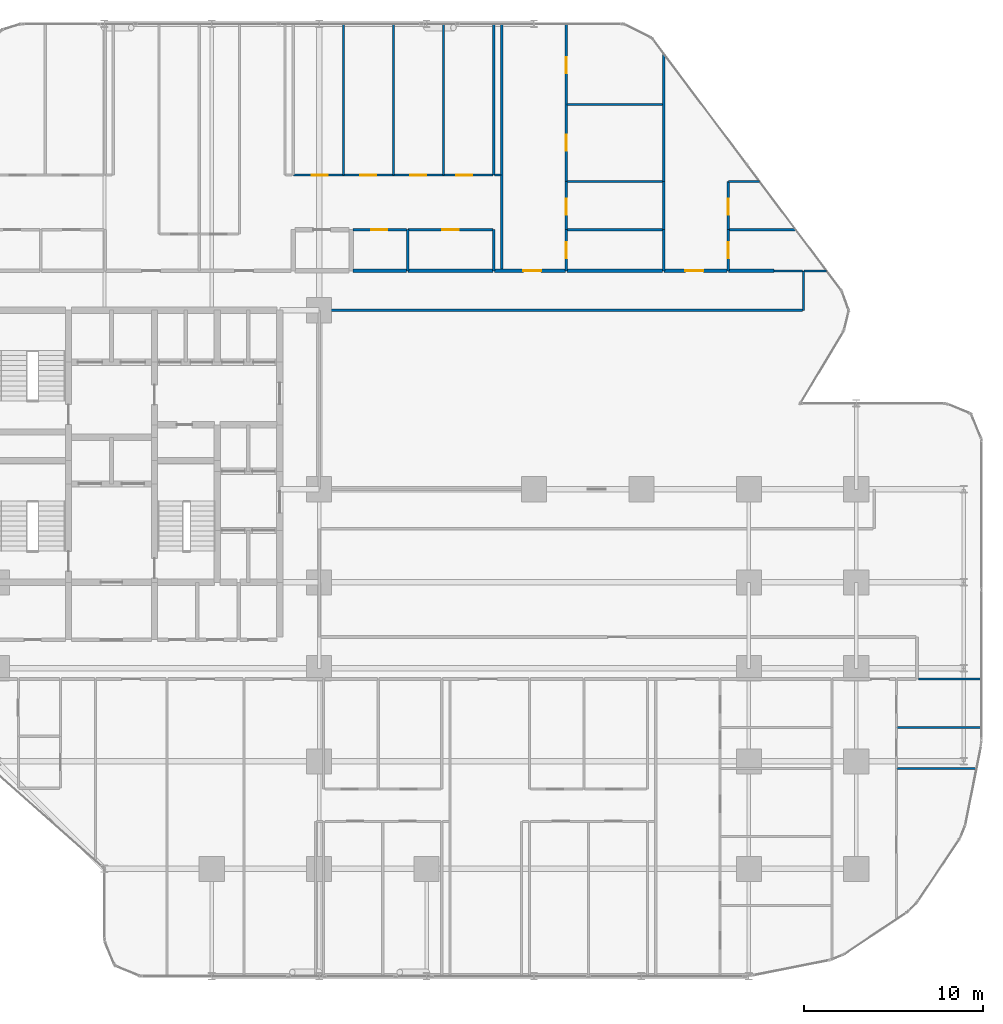
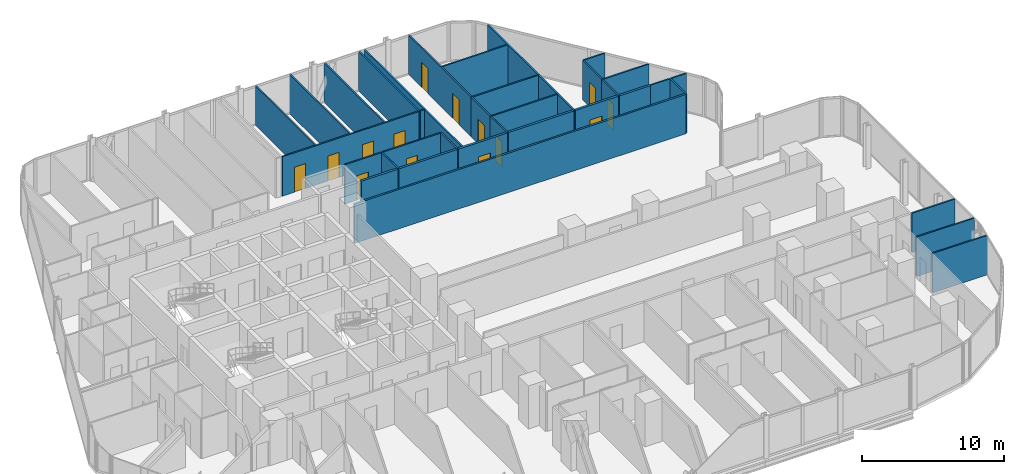
# One storey, part 31 of 33: 37 walls, 14 doors, 14 openings.
"""IFC4 building model written with IfcOpenShell, lengths in metres."""

from ifc_helpers import new_model, si_unit, direction, frame, frame_2d, origin, place, context, subcontext, project, spatial, rectangle, extrude, material, layer, layer_set, type_object, element, fill, save


model = new_model("IFC4")

# Units and contexts
model_context = context("Model", 3, precision=1e-05, world=origin(), true_north=direction((0.0, 1.0)))
body_context = subcontext(model_context, "Body", "Model", "MODEL_VIEW")
ifc_project = project(units=[si_unit("LENGTHUNIT", "METRE"), si_unit("AREAUNIT", "SQUARE_METRE"), si_unit("VOLUMEUNIT", "CUBIC_METRE"), si_unit("PLANEANGLEUNIT", "RADIAN"), si_unit("MASSUNIT", "GRAM", prefix="KILO")], contexts=[model_context])

# Site, building, storey
site_placement = place(None, origin())
site = spatial("IfcSite", under=ifc_project, at=site_placement, CompositionType="ELEMENT")
building_placement = place(site_placement, origin())
building = spatial("IfcBuilding", under=site, at=building_placement, Name="Keshet Zoharim Tower", CompositionType="ELEMENT")
storey_placement = place(building_placement, frame((0.0, 0.0, 49.89990234375)))
storey = spatial("IfcBuildingStorey", under=building, at=storey_placement, Name="L11", CompositionType="ELEMENT", Elevation=49.89990234375)

# Walls
ifc_material_1 = material(Name="Gypsum Plasterboard", Category="gypsum")
ifc_layer_1 = layer(ifc_material_1, 0.14990234375)
ifc_layer_set_1 = layer_set([ifc_layer_1], Name="Gypsum Plasterboard")
wall_type_1 = type_object("IfcWallType", Name="WL-CLIN-150", PredefinedType="STANDARD", material=ifc_layer_set_1)
wall_1_placement = place(storey_placement, frame((33.070068359375, 37.89990234375, 0.0), z_axis=(0.0, 0.0, 1.0), x_axis=(1.0, 0.0, 0.0)))
element("IfcWall", 1, at=wall_1_placement, inside=storey, type_object=wall_type_1, Name="L11 Interior Wall 194", PredefinedType="STANDARD", context=body_context, shape_type="SweptSolid", body=[
    extrude(rectangle(XDim=26.934814453125, YDim=0.14990234375, at=frame_2d((13.46728515625, 0.0))), origin(), (0.0, 0.0, 1.0), 3.385009765625),
])
ifc_layer_2 = layer(ifc_material_1, 0.179931640625)
ifc_layer_set_2 = layer_set([ifc_layer_2], Name="Gypsum Plasterboard")
wall_type_2 = type_object("IfcWallType", Name="WL-CORR-180", PredefinedType="STANDARD", material=ifc_layer_set_2)
wall_2_placement = place(storey_placement, frame((34.89404296875, 40.10009765625, 0.0), z_axis=(0.0, 0.0, 1.0), x_axis=(1.0, 0.0, 0.0)))
element("IfcWall", 2, at=wall_2_placement, inside=storey, type_object=wall_type_2, Name="L11 Interior Wall 201", PredefinedType="STANDARD", context=body_context, shape_type="SweptSolid", body=[
    extrude(rectangle(XDim=2.987060546875, YDim=0.179931640625, at=frame_2d((1.49365234375, 0.0))), origin(), (0.0, 0.0, 1.0), 3.385009765625),
])
wall_3_placement = place(storey_placement, frame((37.970947265625, 40.10009765625, 0.0), z_axis=(0.0, 0.0, 1.0), x_axis=(1.0, 0.0, 0.0)))
element("IfcWall", 3, at=wall_3_placement, inside=storey, type_object=wall_type_2, Name="L11 Interior Wall 202", PredefinedType="STANDARD", context=body_context, shape_type="SweptSolid", body=[
    extrude(rectangle(XDim=4.734130859375, YDim=0.179931640625, at=frame_2d((2.3671875, 0.0))), origin(), (0.0, 0.0, 1.0), 3.385009765625),
])

# Wall, opening, door
wall_4_placement = place(storey_placement, frame((42.794921875, 40.10009765625, 0.0), z_axis=(0.0, 0.0, 1.0), x_axis=(1.0, 0.0, 0.0)))
wall_4 = element("IfcWall", 4, at=wall_4_placement, inside=storey, type_object=wall_type_2, Name="L11 Interior Wall 203", PredefinedType="STANDARD", context=body_context, shape_type="SweptSolid", body=[
    extrude(rectangle(XDim=3.9599609375, YDim=0.179931640625, at=frame_2d((1.97998046875, 0.0))), origin(), (0.0, 0.0, 1.0), 3.385009765625),
])
opening_1_placement = place(wall_4_placement, frame((1.60888671875, 0.0, 0.0)))
opening_1 = element("IfcOpeningElement", 5, at=opening_1_placement, cuts=wall_4, Name="Opening D-F310", PredefinedType="OPENING", context=body_context, shape_type="SweptSolid", body=[
    extrude(rectangle(XDim=1.0, YDim=2.14990234375, at=frame_2d((0.5, 1.074951171875))), frame((0.0, 0.10009765625, 0.0), z_axis=(0.0, -1.0, 0.0), x_axis=(1.0, 0.0, 0.0)), (0.0, 0.0, 1.0), 0.199951171875),
])
ifc_material_2 = material(Name="Hardwood Timber", Category="wood")
door_type_1 = type_object("IfcDoorType", Name="DR-FD30-100", OperationType="NOTDEFINED", PredefinedType="DOOR", material=ifc_material_2)
door_1_placement = place(opening_1_placement, origin())
door_1 = element("IfcDoor", 6, at=door_1_placement, inside=storey, type_object=door_type_1, Name="Apartment 1108 Entrance Door", OperationType="SINGLE_SWING_LEFT", OverallHeight=2.14990234375, OverallWidth=1.0, PredefinedType="DOOR", context=body_context, shape_type="SweptSolid", body=[
    extrude(rectangle(XDim=1.0, YDim=2.14990234375, at=frame_2d((0.5, 1.074951171875))), frame((0.0, 0.02490234375, 0.0), z_axis=(0.0, -1.0, 0.0), x_axis=(1.0, 0.0, 0.0)), (0.0, 0.0, 1.0), 0.050048828125),
])
fill(opening_1, door_1)

# Wall
wall_5_placement = place(storey_placement, frame((46.844970703125, 40.10009765625, 0.0), z_axis=(0.0, 0.0, 1.0), x_axis=(1.0, 0.0, 0.0)))
element("IfcWall", 7, at=wall_5_placement, inside=storey, type_object=wall_type_2, Name="L11 Interior Wall 204", PredefinedType="STANDARD", context=body_context, shape_type="SweptSolid", body=[
    extrude(rectangle(XDim=5.340087890625, YDim=0.179931640625, at=frame_2d((2.669921875, 0.0))), origin(), (0.0, 0.0, 1.0), 3.385009765625),
])

# Wall, opening, door
wall_6_placement = place(storey_placement, frame((52.27490234375, 40.10009765625, 0.0), z_axis=(0.0, 0.0, 1.0), x_axis=(1.0, 0.0, 0.0)))
wall_6 = element("IfcWall", 8, at=wall_6_placement, inside=storey, type_object=wall_type_2, Name="L11 Interior Wall 205", PredefinedType="STANDARD", context=body_context, shape_type="SweptSolid", body=[
    extrude(rectangle(XDim=3.510009765625, YDim=0.179931640625, at=frame_2d((1.7548828125, 0.0))), origin(), (0.0, 0.0, 1.0), 3.385009765625),
])
opening_2_placement = place(wall_6_placement, frame((1.18505859375, 0.0, 0.0)))
opening_2 = element("IfcOpeningElement", 9, at=opening_2_placement, cuts=wall_6, Name="Opening D-F310", PredefinedType="OPENING", context=body_context, shape_type="SweptSolid", body=[
    extrude(rectangle(XDim=1.0, YDim=2.14990234375, at=frame_2d((0.5, 1.074951171875))), frame((0.0, 0.10009765625, 0.0), z_axis=(0.0, -1.0, 0.0), x_axis=(1.0, 0.0, 0.0)), (0.0, 0.0, 1.0), 0.199951171875),
])
door_2_placement = place(opening_2_placement, origin())
door_2 = element("IfcDoor", 10, at=door_2_placement, inside=storey, type_object=door_type_1, Name="Apartment 1109 Entrance Door", OperationType="SINGLE_SWING_RIGHT", OverallHeight=2.14990234375, OverallWidth=1.0, PredefinedType="DOOR", context=body_context, shape_type="SweptSolid", body=[
    extrude(rectangle(XDim=1.0, YDim=2.14990234375, at=frame_2d((0.5, 1.074951171875))), frame((0.0, 0.02490234375, 0.0), z_axis=(0.0, -1.0, 0.0), x_axis=(1.0, 0.0, 0.0)), (0.0, 0.0, 1.0), 0.050048828125),
])
fill(opening_2, door_2)

# Walls
wall_7_placement = place(storey_placement, frame((55.875, 40.10009765625, 0.0), z_axis=(0.0, 0.0, 1.0), x_axis=(1.0, 0.0, 0.0)))
element("IfcWall", 11, at=wall_7_placement, inside=storey, type_object=wall_type_2, Name="L11 Interior Wall 206", PredefinedType="STANDARD", context=body_context, shape_type="SweptSolid", body=[
    extrude(rectangle(XDim=2.52490234375, YDim=0.179931640625, at=frame_2d((1.262451171875, 0.0))), origin(), (0.0, 0.0, 1.0), 3.385009765625),
])
ifc_layer_3 = layer(ifc_material_1, 0.1201171875)
ifc_layer_set_3 = layer_set([ifc_layer_3], Name="Gypsum Plasterboard")
wall_type_3 = type_object("IfcWallType", Name="WL-PART-120", PredefinedType="PARTITIONING", material=ifc_layer_set_3)
for number, where, z_axis, x_axis, name in (
    (12, (34.35009765625, 45.449951171875, 0.0), (0.0, 0.0, 1.0), (0.0, 1.0, 0.0), "L11 Interior Wall 078"),
    (13, (37.14990234375, 45.449951171875, 0.0), (0.0, 0.0, 1.0), (0.0, 1.0, 0.0), "L11 Interior Wall 082"),
    (14, (39.949951171875, 45.449951171875, 0.0), (0.0, 0.0, 1.0), (0.0, 1.0, 0.0), "L11 Interior Wall 086"),
):
    element("IfcWall", number, at=place(storey_placement, frame(where, z_axis=z_axis, x_axis=x_axis)), inside=storey, type_object=wall_type_3, Name=name, PredefinedType="PARTITIONING", context=body_context, shape_type="SweptSolid", body=[
        extrude(rectangle(XDim=8.43994140625, YDim=0.1201171875, at=frame_2d((4.219970703125, 0.0))), origin(), (0.0, 0.0, 1.0), 3.385009765625),
    ])
wall_8_placement = place(storey_placement, frame((42.75, 40.10009765625, 0.0), z_axis=(0.0, 0.0, 1.0), x_axis=(0.0, 1.0, 0.0)))
element("IfcWall", 15, at=wall_8_placement, inside=storey, type_object=wall_type_3, Name="L11 Interior Wall 088", PredefinedType="PARTITIONING", context=body_context, shape_type="SweptSolid", body=[
    extrude(rectangle(XDim=2.2998046875, YDim=0.1201171875, at=frame_2d((1.14990234375, 0.0))), origin(), (0.0, 0.0, 1.0), 3.385009765625),
])
wall_9_placement = place(storey_placement, frame((42.75, 45.449951171875, 0.0), z_axis=(0.0, 0.0, 1.0), x_axis=(0.0, 1.0, 0.0)))
element("IfcWall", 16, at=wall_9_placement, inside=storey, type_object=wall_type_3, Name="L11 Interior Wall 089", PredefinedType="PARTITIONING", context=body_context, shape_type="SweptSolid", body=[
    extrude(rectangle(XDim=8.43994140625, YDim=0.1201171875, at=frame_2d((4.219970703125, 0.0))), origin(), (0.0, 0.0, 1.0), 3.385009765625),
])
wall_10_placement = place(storey_placement, frame((43.199951171875, 40.10009765625, 0.0), z_axis=(0.0, 0.0, 1.0), x_axis=(0.0, 1.0, 0.0)))
element("IfcWall", 17, at=wall_10_placement, inside=storey, type_object=wall_type_3, Name="L11 Interior Wall 090", PredefinedType="PARTITIONING", context=body_context, shape_type="SweptSolid", body=[
    extrude(rectangle(XDim=13.789794921875, YDim=0.1201171875, at=frame_2d((6.89501953125, 0.0))), origin(), (0.0, 0.0, 1.0), 3.385009765625),
])

# Wall, opening, door
wall_11_placement = place(storey_placement, frame((46.800048828125, 40.10009765625, 0.0), z_axis=(0.0, 0.0, 1.0), x_axis=(0.0, 1.0, 0.0)))
wall_11 = element("IfcWall", 18, at=wall_11_placement, inside=storey, type_object=wall_type_3, Name="L11 Interior Wall 094", PredefinedType="PARTITIONING", context=body_context, shape_type="SweptSolid", body=[
    extrude(rectangle(XDim=2.2998046875, YDim=0.1201171875, at=frame_2d((1.14990234375, 0.0))), origin(), (0.0, 0.0, 1.0), 3.385009765625),
])
opening_3_placement = place(wall_11_placement, frame((0.699951171875, 0.0, 0.0)))
opening_3 = element("IfcOpeningElement", 19, at=opening_3_placement, cuts=wall_11, Name="Opening D-IN90", PredefinedType="OPENING", context=body_context, shape_type="SweptSolid", body=[
    extrude(rectangle(XDim=0.89990234375, YDim=2.14990234375, at=frame_2d((0.449951171875, 1.074951171875))), frame((0.0, 0.070068359375, 0.0), z_axis=(0.0, -1.0, 0.0), x_axis=(1.0, 0.0, 0.0)), (0.0, 0.0, 1.0), 0.14013671875),
])
door_type_2 = type_object("IfcDoorType", Name="DR-INT-090", OperationType="NOTDEFINED", PredefinedType="DOOR", material=ifc_material_2)
door_3_placement = place(opening_3_placement, origin())
door_3 = element("IfcDoor", 20, at=door_3_placement, inside=storey, type_object=door_type_2, Name="Apartment 1108 Kitchen Door", OperationType="SINGLE_SWING_LEFT", OverallHeight=2.14990234375, OverallWidth=0.89990234375, PredefinedType="DOOR", context=body_context, shape_type="SweptSolid", body=[
    extrude(rectangle(XDim=0.89990234375, YDim=2.14990234375, at=frame_2d((0.449951171875, 1.074951171875))), frame((0.0, 0.02490234375, 0.0), z_axis=(0.0, -1.0, 0.0), x_axis=(1.0, 0.0, 0.0)), (0.0, 0.0, 1.0), 0.050048828125),
])
fill(opening_3, door_3)

# Wall, openings, doors
wall_12_placement = place(storey_placement, frame((46.800048828125, 45.10009765625, 0.0), z_axis=(0.0, 0.0, 1.0), x_axis=(0.0, 1.0, 0.0)))
wall_12 = element("IfcWall", 21, at=wall_12_placement, inside=storey, type_object=wall_type_3, Name="L11 Interior Wall 096", PredefinedType="PARTITIONING", context=body_context, shape_type="SweptSolid", body=[
    extrude(rectangle(XDim=8.789794921875, YDim=0.1201171875, at=frame_2d((4.39501953125, 0.0))), origin(), (0.0, 0.0, 1.0), 3.385009765625),
])
opening_4_placement = place(wall_12_placement, frame((1.7119140625, 0.0, 0.0)))
opening_4 = element("IfcOpeningElement", 22, at=opening_4_placement, cuts=wall_12, Name="Opening D-IN90", PredefinedType="OPENING", context=body_context, shape_type="SweptSolid", body=[
    extrude(rectangle(XDim=0.89990234375, YDim=2.14990234375, at=frame_2d((0.449951171875, 1.074951171875))), frame((0.0, 0.070068359375, 0.0), z_axis=(0.0, -1.0, 0.0), x_axis=(1.0, 0.0, 0.0)), (0.0, 0.0, 1.0), 0.14013671875),
])
opening_5_placement = place(wall_12_placement, frame((6.030029296875, 0.0, 0.0)))
opening_5 = element("IfcOpeningElement", 23, at=opening_5_placement, cuts=wall_12, Name="Opening D-IN90", PredefinedType="OPENING", context=body_context, shape_type="SweptSolid", body=[
    extrude(rectangle(XDim=0.89990234375, YDim=2.14990234375, at=frame_2d((0.449951171875, 1.074951171875))), frame((0.0, 0.070068359375, 0.0), z_axis=(0.0, -1.0, 0.0), x_axis=(1.0, 0.0, 0.0)), (0.0, 0.0, 1.0), 0.14013671875),
])
door_4_placement = place(opening_4_placement, origin())
door_4 = element("IfcDoor", 24, at=door_4_placement, inside=storey, type_object=door_type_2, Name="Apartment 1108 Bedroom 1 Door", OperationType="SINGLE_SWING_LEFT", OverallHeight=2.14990234375, OverallWidth=0.89990234375, PredefinedType="DOOR", context=body_context, shape_type="SweptSolid", body=[
    extrude(rectangle(XDim=0.89990234375, YDim=2.14990234375, at=frame_2d((0.449951171875, 1.074951171875))), frame((0.0, 0.02490234375, 0.0), z_axis=(0.0, -1.0, 0.0), x_axis=(1.0, 0.0, 0.0)), (0.0, 0.0, 1.0), 0.050048828125),
])
fill(opening_4, door_4)
door_5_placement = place(opening_5_placement, origin())
door_5 = element("IfcDoor", 25, at=door_5_placement, inside=storey, type_object=door_type_2, Name="Apartment 1108 Bedroom 2 Door", OperationType="SINGLE_SWING_RIGHT", OverallHeight=2.14990234375, OverallWidth=0.89990234375, PredefinedType="DOOR", context=body_context, shape_type="SweptSolid", body=[
    extrude(rectangle(XDim=0.89990234375, YDim=2.14990234375, at=frame_2d((0.449951171875, 1.074951171875))), frame((0.0, 0.02490234375, 0.0), z_axis=(0.0, -1.0, 0.0), x_axis=(1.0, 0.0, 0.0)), (0.0, 0.0, 1.0), 0.050048828125),
])
fill(opening_5, door_5)

# Walls
wall_13_placement = place(storey_placement, frame((52.25, 40.10009765625, 0.0), z_axis=(0.0, 0.0, 1.0), x_axis=(0.0, 1.0, 0.0)))
element("IfcWall", 26, at=wall_13_placement, inside=storey, type_object=wall_type_3, Name="L11 Interior Wall 102", PredefinedType="PARTITIONING", context=body_context, shape_type="SweptSolid", body=[
    extrude(rectangle(XDim=2.2998046875, YDim=0.1201171875, at=frame_2d((1.14990234375, 0.0))), origin(), (0.0, 0.0, 1.0), 3.385009765625),
])
wall_14_placement = place(storey_placement, frame((52.25, 45.10009765625, 0.0), z_axis=(0.0, 0.0, 1.0), x_axis=(0.0, 1.0, 0.0)))
element("IfcWall", 27, at=wall_14_placement, inside=storey, type_object=wall_type_3, Name="L11 Interior Wall 104", PredefinedType="PARTITIONING", context=body_context, shape_type="SweptSolid", body=[
    extrude(rectangle(XDim=7.122802734375, YDim=0.1201171875, at=frame_2d((3.5615234375, 0.0))), origin(), (0.0, 0.0, 1.0), 3.385009765625),
])

# Wall, opening, door
wall_15_placement = place(storey_placement, frame((55.85009765625, 40.10009765625, 0.0), z_axis=(0.0, 0.0, 1.0), x_axis=(0.0, 1.0, 0.0)))
wall_15 = element("IfcWall", 28, at=wall_15_placement, inside=storey, type_object=wall_type_3, Name="L11 Interior Wall 108", PredefinedType="PARTITIONING", context=body_context, shape_type="SweptSolid", body=[
    extrude(rectangle(XDim=2.2998046875, YDim=0.1201171875, at=frame_2d((1.14990234375, 0.0))), origin(), (0.0, 0.0, 1.0), 3.385009765625),
])
opening_6_placement = place(wall_15_placement, frame((0.699951171875, 0.0, 0.0)))
opening_6 = element("IfcOpeningElement", 29, at=opening_6_placement, cuts=wall_15, Name="Opening D-IN90", PredefinedType="OPENING", context=body_context, shape_type="SweptSolid", body=[
    extrude(rectangle(XDim=0.89990234375, YDim=2.14990234375, at=frame_2d((0.449951171875, 1.074951171875))), frame((0.0, 0.070068359375, 0.0), z_axis=(0.0, -1.0, 0.0), x_axis=(1.0, 0.0, 0.0)), (0.0, 0.0, 1.0), 0.14013671875),
])
door_6_placement = place(opening_6_placement, origin())
door_6 = element("IfcDoor", 30, at=door_6_placement, inside=storey, type_object=door_type_2, Name="Apartment 1109 Kitchen Door", OperationType="SINGLE_SWING_RIGHT", OverallHeight=2.14990234375, OverallWidth=0.89990234375, PredefinedType="DOOR", context=body_context, shape_type="SweptSolid", body=[
    extrude(rectangle(XDim=0.89990234375, YDim=2.14990234375, at=frame_2d((0.449951171875, 1.074951171875))), frame((0.0, 0.02490234375, 0.0), z_axis=(0.0, -1.0, 0.0), x_axis=(1.0, 0.0, 0.0)), (0.0, 0.0, 1.0), 0.050048828125),
])
fill(opening_6, door_6)

# Walls
wall_16_placement = place(storey_placement, frame((60.050048828125, 37.889892578125, 0.0), z_axis=(0.0, 0.0, 1.0), x_axis=(0.0, 1.0, 0.0)))
element("IfcWall", 31, at=wall_16_placement, inside=storey, type_object=wall_type_3, Name="L11 Interior Wall 110", PredefinedType="PARTITIONING", context=body_context, shape_type="SweptSolid", body=[
    extrude(rectangle(XDim=2.2001953125, YDim=0.1201171875, at=frame_2d((1.10009765625, 0.0))), origin(), (0.0, 0.0, 1.0), 3.385009765625),
])
wall_17_placement = place(storey_placement, frame((65.27490234375, 12.300048828125, 0.0), z_axis=(0.0, 0.0, 1.0), x_axis=(1.0, 0.0, 0.0)))
element("IfcWall", 32, at=wall_17_placement, inside=storey, type_object=wall_type_3, Name="L11 Interior Wall 133", PredefinedType="PARTITIONING", context=body_context, shape_type="SweptSolid", body=[
    extrude(rectangle(XDim=4.43701171875, YDim=0.1201171875, at=frame_2d((2.218505859375, 0.0))), origin(), (0.0, 0.0, 1.0), 3.385009765625),
])
wall_18_placement = place(storey_placement, frame((58.39990234375, 40.10009765625, 0.0), z_axis=(0.0, 0.0, 1.0), x_axis=(1.0, 0.0, 0.0)))
element("IfcWall", 33, at=wall_18_placement, inside=storey, type_object=wall_type_3, Name="L11 Interior Wall 207", PredefinedType="PARTITIONING", context=body_context, shape_type="SweptSolid", body=[
    extrude(rectangle(XDim=1.60498046875, YDim=0.1201171875, at=frame_2d((0.802490234375, 0.0))), origin(), (0.0, 0.0, 1.0), 3.385009765625),
])
wall_19_placement = place(storey_placement, frame((60.094970703125, 40.10009765625, 0.0), z_axis=(0.0, 0.0, 1.0), x_axis=(1.0, 0.0, 0.0)))
element("IfcWall", 34, at=wall_19_placement, inside=storey, type_object=wall_type_3, Name="L11 Interior Wall 208", PredefinedType="PARTITIONING", context=body_context, shape_type="SweptSolid", body=[
    extrude(rectangle(XDim=1.2451171875, YDim=0.1201171875, at=frame_2d((0.62255859375, 0.0))), origin(), (0.0, 0.0, 1.0), 3.385009765625),
])

# Wall, opening, door
wall_20_placement = place(storey_placement, frame((37.970947265625, 42.39990234375, 0.0), z_axis=(0.0, 0.0, 1.0), x_axis=(1.0, 0.0, 0.0)))
wall_20 = element("IfcWall", 35, at=wall_20_placement, inside=storey, type_object=wall_type_3, Name="L11 Interior Wall 215", PredefinedType="PARTITIONING", context=body_context, shape_type="SweptSolid", body=[
    extrude(rectangle(XDim=4.734130859375, YDim=0.1201171875, at=frame_2d((2.3671875, 0.0))), origin(), (0.0, 0.0, 1.0), 3.385009765625),
])
opening_7_placement = place(wall_20_placement, frame((1.9169921875, 0.0, 0.0)))
opening_7 = element("IfcOpeningElement", 36, at=opening_7_placement, cuts=wall_20, Name="Opening D-IN90", PredefinedType="OPENING", context=body_context, shape_type="SweptSolid", body=[
    extrude(rectangle(XDim=0.89990234375, YDim=2.14990234375, at=frame_2d((0.449951171875, 1.074951171875))), frame((0.0, 0.070068359375, 0.0), z_axis=(0.0, -1.0, 0.0), x_axis=(1.0, 0.0, 0.0)), (0.0, 0.0, 1.0), 0.14013671875),
])
door_7_placement = place(opening_7_placement, origin())
door_7 = element("IfcDoor", 37, at=door_7_placement, inside=storey, type_object=door_type_2, Name="Apartment 1107 Kitchen Door", OperationType="SINGLE_SWING_RIGHT", OverallHeight=2.14990234375, OverallWidth=0.89990234375, PredefinedType="DOOR", context=body_context, shape_type="SweptSolid", body=[
    extrude(rectangle(XDim=0.89990234375, YDim=2.14990234375, at=frame_2d((0.449951171875, 1.074951171875))), frame((0.0, 0.02490234375, 0.0), z_axis=(0.0, -1.0, 0.0), x_axis=(1.0, 0.0, 0.0)), (0.0, 0.0, 1.0), 0.050048828125),
])
fill(opening_7, door_7)

# Wall, openings, doors
wall_21_placement = place(storey_placement, frame((31.574951171875, 45.449951171875, 0.0), z_axis=(0.0, 0.0, 1.0), x_axis=(1.0, 0.0, 0.0)))
wall_21 = element("IfcWall", 38, at=wall_21_placement, inside=storey, type_object=wall_type_3, Name="L11 Interior Wall 223", PredefinedType="PARTITIONING", context=body_context, shape_type="SweptSolid", body=[
    extrude(rectangle(XDim=11.130126953125, YDim=0.1201171875, at=frame_2d((5.56494140625, 0.0))), origin(), (0.0, 0.0, 1.0), 3.385009765625),
])
opening_8_placement = place(wall_21_placement, frame((1.008056640625, 0.0, 0.0)))
opening_8 = element("IfcOpeningElement", 39, at=opening_8_placement, cuts=wall_21, Name="Opening D-IN90", PredefinedType="OPENING", context=body_context, shape_type="SweptSolid", body=[
    extrude(rectangle(XDim=0.89990234375, YDim=2.14990234375, at=frame_2d((0.449951171875, 1.074951171875))), frame((0.0, 0.070068359375, 0.0), z_axis=(0.0, -1.0, 0.0), x_axis=(1.0, 0.0, 0.0)), (0.0, 0.0, 1.0), 0.14013671875),
])
opening_9_placement = place(wall_21_placement, frame((3.712890625, 0.0, 0.0)))
opening_9 = element("IfcOpeningElement", 40, at=opening_9_placement, cuts=wall_21, Name="Opening D-IN90", PredefinedType="OPENING", context=body_context, shape_type="SweptSolid", body=[
    extrude(rectangle(XDim=0.89990234375, YDim=2.14990234375, at=frame_2d((0.449951171875, 1.074951171875))), frame((0.0, 0.070068359375, 0.0), z_axis=(0.0, -1.0, 0.0), x_axis=(1.0, 0.0, 0.0)), (0.0, 0.0, 1.0), 0.14013671875),
])
opening_10_placement = place(wall_21_placement, frame((6.51806640625, 0.0, 0.0)))
opening_10 = element("IfcOpeningElement", 41, at=opening_10_placement, cuts=wall_21, Name="Opening D-IN90", PredefinedType="OPENING", context=body_context, shape_type="SweptSolid", body=[
    extrude(rectangle(XDim=0.89990234375, YDim=2.14990234375, at=frame_2d((0.449951171875, 1.074951171875))), frame((0.0, 0.070068359375, 0.0), z_axis=(0.0, -1.0, 0.0), x_axis=(1.0, 0.0, 0.0)), (0.0, 0.0, 1.0), 0.14013671875),
])
opening_11_placement = place(wall_21_placement, frame((9.072998046875, 0.0, 0.0)))
opening_11 = element("IfcOpeningElement", 42, at=opening_11_placement, cuts=wall_21, Name="Opening D-IN90", PredefinedType="OPENING", context=body_context, shape_type="SweptSolid", body=[
    extrude(rectangle(XDim=0.89990234375, YDim=2.14990234375, at=frame_2d((0.449951171875, 1.074951171875))), frame((0.0, 0.070068359375, 0.0), z_axis=(0.0, -1.0, 0.0), x_axis=(1.0, 0.0, 0.0)), (0.0, 0.0, 1.0), 0.14013671875),
])
door_8_placement = place(opening_8_placement, origin())
door_8 = element("IfcDoor", 43, at=door_8_placement, inside=storey, type_object=door_type_2, Name="Apartment 1107 Bedroom 1 Door", OperationType="SINGLE_SWING_LEFT", OverallHeight=2.14990234375, OverallWidth=0.89990234375, PredefinedType="DOOR", context=body_context, shape_type="SweptSolid", body=[
    extrude(rectangle(XDim=0.89990234375, YDim=2.14990234375, at=frame_2d((0.449951171875, 1.074951171875))), frame((0.0, 0.02490234375, 0.0), z_axis=(0.0, -1.0, 0.0), x_axis=(1.0, 0.0, 0.0)), (0.0, 0.0, 1.0), 0.050048828125),
])
fill(opening_8, door_8)
door_9_placement = place(opening_9_placement, origin())
door_9 = element("IfcDoor", 44, at=door_9_placement, inside=storey, type_object=door_type_2, Name="Apartment 1107 Bedroom 2 Door", OperationType="SINGLE_SWING_RIGHT", OverallHeight=2.14990234375, OverallWidth=0.89990234375, PredefinedType="DOOR", context=body_context, shape_type="SweptSolid", body=[
    extrude(rectangle(XDim=0.89990234375, YDim=2.14990234375, at=frame_2d((0.449951171875, 1.074951171875))), frame((0.0, 0.02490234375, 0.0), z_axis=(0.0, -1.0, 0.0), x_axis=(1.0, 0.0, 0.0)), (0.0, 0.0, 1.0), 0.050048828125),
])
fill(opening_9, door_9)
door_10_placement = place(opening_10_placement, origin())
door_10 = element("IfcDoor", 45, at=door_10_placement, inside=storey, type_object=door_type_2, Name="Apartment 1107 Bedroom 3 Door", OperationType="SINGLE_SWING_LEFT", OverallHeight=2.14990234375, OverallWidth=0.89990234375, PredefinedType="DOOR", context=body_context, shape_type="SweptSolid", body=[
    extrude(rectangle(XDim=0.89990234375, YDim=2.14990234375, at=frame_2d((0.449951171875, 1.074951171875))), frame((0.0, 0.02490234375, 0.0), z_axis=(0.0, -1.0, 0.0), x_axis=(1.0, 0.0, 0.0)), (0.0, 0.0, 1.0), 0.050048828125),
])
fill(opening_10, door_10)
door_11_placement = place(opening_11_placement, origin())
door_11 = element("IfcDoor", 46, at=door_11_placement, inside=storey, type_object=door_type_2, Name="Apartment 1107 Bedroom 4 Door", OperationType="SINGLE_SWING_RIGHT", OverallHeight=2.14990234375, OverallWidth=0.89990234375, PredefinedType="DOOR", context=body_context, shape_type="SweptSolid", body=[
    extrude(rectangle(XDim=0.89990234375, YDim=2.14990234375, at=frame_2d((0.449951171875, 1.074951171875))), frame((0.0, 0.02490234375, 0.0), z_axis=(0.0, -1.0, 0.0), x_axis=(1.0, 0.0, 0.0)), (0.0, 0.0, 1.0), 0.050048828125),
])
fill(opening_11, door_11)

# Walls
wall_22_placement = place(storey_placement, frame((42.794921875, 45.449951171875, 0.0), z_axis=(0.0, 0.0, 1.0), x_axis=(1.0, 0.0, 0.0)))
element("IfcWall", 47, at=wall_22_placement, inside=storey, type_object=wall_type_3, Name="L11 Interior Wall 224", PredefinedType="PARTITIONING", context=body_context, shape_type="SweptSolid", body=[
    extrude(rectangle(XDim=0.360107421875, YDim=0.1201171875, at=frame_2d((0.18017578125, 0.0))), origin(), (0.0, 0.0, 1.0), 3.385009765625),
])
wall_23_placement = place(storey_placement, frame((46.844970703125, 49.39990234375, 0.0), z_axis=(0.0, 0.0, 1.0), x_axis=(1.0, 0.0, 0.0)))
element("IfcWall", 48, at=wall_23_placement, inside=storey, type_object=wall_type_3, Name="L11 Interior Wall 225", PredefinedType="PARTITIONING", context=body_context, shape_type="SweptSolid", body=[
    extrude(rectangle(XDim=5.340087890625, YDim=0.1201171875, at=frame_2d((2.669921875, 0.0))), origin(), (0.0, 0.0, 1.0), 3.385009765625),
])
ifc_layer_4 = layer(ifc_material_1, 0.1201171875)
ifc_layer_set_4 = layer_set([ifc_layer_4], Name="Gypsum Plasterboard")
wall_type_4 = type_object("IfcWallType", Name="WL-WET-120", PredefinedType="PARTITIONING", material=ifc_layer_set_4)
wall_24_placement = place(storey_placement, frame((37.949951171875, 40.10009765625, 0.0), z_axis=(0.0, 0.0, 1.0), x_axis=(0.0, 1.0, 0.0)))
element("IfcWall", 49, at=wall_24_placement, inside=storey, type_object=wall_type_4, Name="L11 Interior Wall 083", PredefinedType="PARTITIONING", context=body_context, shape_type="SweptSolid", body=[
    extrude(rectangle(XDim=2.2998046875, YDim=0.1201171875, at=frame_2d((1.14990234375, 0.0))), origin(), (0.0, 0.0, 1.0), 3.385009765625),
])

# Wall, opening, door
wall_25_placement = place(storey_placement, frame((46.800048828125, 42.39990234375, 0.0), z_axis=(0.0, 0.0, 1.0), x_axis=(0.0, 1.0, 0.0)))
wall_25 = element("IfcWall", 50, at=wall_25_placement, inside=storey, type_object=wall_type_4, Name="L11 Interior Wall 095", PredefinedType="PARTITIONING", context=body_context, shape_type="SweptSolid", body=[
    extrude(rectangle(XDim=2.7001953125, YDim=0.1201171875, at=frame_2d((1.35009765625, 0.0))), origin(), (0.0, 0.0, 1.0), 3.385009765625),
])
opening_12_placement = place(wall_25_placement, frame((0.827880859375, 0.0, 0.0)))
opening_12 = element("IfcOpeningElement", 51, at=opening_12_placement, cuts=wall_25, Name="Opening D-WT90", PredefinedType="OPENING", context=body_context, shape_type="SweptSolid", body=[
    extrude(rectangle(XDim=0.89990234375, YDim=2.10009765625, at=frame_2d((0.449951171875, 1.050048828125))), frame((0.0, 0.070068359375, 0.0), z_axis=(0.0, -1.0, 0.0), x_axis=(1.0, 0.0, 0.0)), (0.0, 0.0, 1.0), 0.14013671875),
])
door_type_3 = type_object("IfcDoorType", Name="DR-WET-090", OperationType="NOTDEFINED", PredefinedType="DOOR", material=ifc_material_2)
door_12_placement = place(opening_12_placement, origin())
door_12 = element("IfcDoor", 52, at=door_12_placement, inside=storey, type_object=door_type_3, Name="Apartment 1108 Bathroom Door", OperationType="SINGLE_SWING_RIGHT", OverallHeight=2.10009765625, OverallWidth=0.89990234375, PredefinedType="DOOR", context=body_context, shape_type="SweptSolid", body=[
    extrude(rectangle(XDim=0.89990234375, YDim=2.10009765625, at=frame_2d((0.449951171875, 1.050048828125))), frame((0.0, 0.02490234375, 0.0), z_axis=(0.0, -1.0, 0.0), x_axis=(1.0, 0.0, 0.0)), (0.0, 0.0, 1.0), 0.050048828125),
])
fill(opening_12, door_12)

# Wall
wall_26_placement = place(storey_placement, frame((52.25, 42.39990234375, 0.0), z_axis=(0.0, 0.0, 1.0), x_axis=(0.0, 1.0, 0.0)))
element("IfcWall", 53, at=wall_26_placement, inside=storey, type_object=wall_type_4, Name="L11 Interior Wall 103", PredefinedType="PARTITIONING", context=body_context, shape_type="SweptSolid", body=[
    extrude(rectangle(XDim=2.7001953125, YDim=0.1201171875, at=frame_2d((1.35009765625, 0.0))), origin(), (0.0, 0.0, 1.0), 3.385009765625),
])

# Wall, opening, door
wall_27_placement = place(storey_placement, frame((55.85009765625, 42.39990234375, 0.0), z_axis=(0.0, 0.0, 1.0), x_axis=(0.0, 1.0, 0.0)))
wall_27 = element("IfcWall", 54, at=wall_27_placement, inside=storey, type_object=wall_type_4, Name="L11 Interior Wall 109", PredefinedType="PARTITIONING", context=body_context, shape_type="SweptSolid", body=[
    extrude(rectangle(XDim=2.7001953125, YDim=0.1201171875, at=frame_2d((1.35009765625, 0.0))), origin(), (0.0, 0.0, 1.0), 3.385009765625),
])
opening_13_placement = place(wall_27_placement, frame((0.827880859375, 0.0, 0.0)))
opening_13 = element("IfcOpeningElement", 55, at=opening_13_placement, cuts=wall_27, Name="Opening D-WT90", PredefinedType="OPENING", context=body_context, shape_type="SweptSolid", body=[
    extrude(rectangle(XDim=0.89990234375, YDim=2.10009765625, at=frame_2d((0.449951171875, 1.050048828125))), frame((0.0, 0.070068359375, 0.0), z_axis=(0.0, -1.0, 0.0), x_axis=(1.0, 0.0, 0.0)), (0.0, 0.0, 1.0), 0.14013671875),
])
door_13_placement = place(opening_13_placement, origin())
door_13 = element("IfcDoor", 56, at=door_13_placement, inside=storey, type_object=door_type_3, Name="Apartment 1109 Bathroom Door", OperationType="SINGLE_SWING_LEFT", OverallHeight=2.10009765625, OverallWidth=0.89990234375, PredefinedType="DOOR", context=body_context, shape_type="SweptSolid", body=[
    extrude(rectangle(XDim=0.89990234375, YDim=2.10009765625, at=frame_2d((0.449951171875, 1.050048828125))), frame((0.0, 0.02490234375, 0.0), z_axis=(0.0, -1.0, 0.0), x_axis=(1.0, 0.0, 0.0)), (0.0, 0.0, 1.0), 0.050048828125),
])
fill(opening_13, door_13)

# Walls
wall_28_placement = place(storey_placement, frame((65.27490234375, 14.60009765625, 0.0), z_axis=(0.0, 0.0, 1.0), x_axis=(1.0, 0.0, 0.0)))
element("IfcWall", 57, at=wall_28_placement, inside=storey, type_object=wall_type_4, Name="L11 Interior Wall 136", PredefinedType="PARTITIONING", context=body_context, shape_type="SweptSolid", body=[
    extrude(rectangle(XDim=4.715087890625, YDim=0.1201171875, at=frame_2d((2.357421875, 0.0))), origin(), (0.0, 0.0, 1.0), 3.385009765625),
])
wall_29_placement = place(storey_placement, frame((66.469970703125, 17.300048828125, 0.0), z_axis=(0.0, 0.0, 1.0), x_axis=(1.0, 0.0, 0.0)))
element("IfcWall", 58, at=wall_29_placement, inside=storey, type_object=wall_type_4, Name="L11 Interior Wall 153", PredefinedType="PARTITIONING", context=body_context, shape_type="SweptSolid", body=[
    extrude(rectangle(XDim=3.52001953125, YDim=0.1201171875, at=frame_2d((1.760009765625, 0.0))), origin(), (0.0, 0.0, 1.0), 3.385009765625),
])

# Wall, opening, door
wall_30_placement = place(storey_placement, frame((34.89404296875, 42.39990234375, 0.0), z_axis=(0.0, 0.0, 1.0), x_axis=(1.0, 0.0, 0.0)))
wall_30 = element("IfcWall", 59, at=wall_30_placement, inside=storey, type_object=wall_type_4, Name="L11 Interior Wall 214", PredefinedType="PARTITIONING", context=body_context, shape_type="SweptSolid", body=[
    extrude(rectangle(XDim=2.987060546875, YDim=0.1201171875, at=frame_2d((1.49365234375, 0.0))), origin(), (0.0, 0.0, 1.0), 3.385009765625),
])
opening_14_placement = place(wall_30_placement, frame((1.010986328125, 0.0, 0.0)))
opening_14 = element("IfcOpeningElement", 60, at=opening_14_placement, cuts=wall_30, Name="Opening D-WT90", PredefinedType="OPENING", context=body_context, shape_type="SweptSolid", body=[
    extrude(rectangle(XDim=0.89990234375, YDim=2.10009765625, at=frame_2d((0.449951171875, 1.050048828125))), frame((0.0, 0.070068359375, 0.0), z_axis=(0.0, -1.0, 0.0), x_axis=(1.0, 0.0, 0.0)), (0.0, 0.0, 1.0), 0.14013671875),
])
door_14_placement = place(opening_14_placement, origin())
door_14 = element("IfcDoor", 61, at=door_14_placement, inside=storey, type_object=door_type_3, Name="Apartment 1107 Bathroom Door", OperationType="SINGLE_SWING_LEFT", OverallHeight=2.10009765625, OverallWidth=0.89990234375, PredefinedType="DOOR", context=body_context, shape_type="SweptSolid", body=[
    extrude(rectangle(XDim=0.89990234375, YDim=2.10009765625, at=frame_2d((0.449951171875, 1.050048828125))), frame((0.0, 0.02490234375, 0.0), z_axis=(0.0, -1.0, 0.0), x_axis=(1.0, 0.0, 0.0)), (0.0, 0.0, 1.0), 0.050048828125),
])
fill(opening_14, door_14)

# Walls
wall_31_placement = place(storey_placement, frame((46.844970703125, 42.39990234375, 0.0), z_axis=(0.0, 0.0, 1.0), x_axis=(1.0, 0.0, 0.0)))
element("IfcWall", 62, at=wall_31_placement, inside=storey, type_object=wall_type_4, Name="L11 Interior Wall 216", PredefinedType="PARTITIONING", context=body_context, shape_type="SweptSolid", body=[
    extrude(rectangle(XDim=5.340087890625, YDim=0.1201171875, at=frame_2d((2.669921875, 0.0))), origin(), (0.0, 0.0, 1.0), 3.385009765625),
])
wall_32_placement = place(storey_placement, frame((55.875, 42.39990234375, 0.0), z_axis=(0.0, 0.0, 1.0), x_axis=(1.0, 0.0, 0.0)))
element("IfcWall", 63, at=wall_32_placement, inside=storey, type_object=wall_type_4, Name="L11 Interior Wall 217", PredefinedType="PARTITIONING", context=body_context, shape_type="SweptSolid", body=[
    extrude(rectangle(XDim=3.739990234375, YDim=0.1201171875, at=frame_2d((1.8701171875, 0.0))), origin(), (0.0, 0.0, 1.0), 3.385009765625),
])
wall_33_placement = place(storey_placement, frame((46.844970703125, 45.10009765625, 0.0), z_axis=(0.0, 0.0, 1.0), x_axis=(1.0, 0.0, 0.0)))
element("IfcWall", 64, at=wall_33_placement, inside=storey, type_object=wall_type_4, Name="L11 Interior Wall 218", PredefinedType="PARTITIONING", context=body_context, shape_type="SweptSolid", body=[
    extrude(rectangle(XDim=5.340087890625, YDim=0.1201171875, at=frame_2d((2.669921875, 0.0))), origin(), (0.0, 0.0, 1.0), 3.385009765625),
])
wall_34_placement = place(storey_placement, frame((55.875, 45.10009765625, 0.0), z_axis=(0.0, 0.0, 1.0), x_axis=(1.0, 0.0, 0.0)))
element("IfcWall", 65, at=wall_34_placement, inside=storey, type_object=wall_type_4, Name="L11 Interior Wall 219", PredefinedType="PARTITIONING", context=body_context, shape_type="SweptSolid", body=[
    extrude(rectangle(XDim=1.715087890625, YDim=0.1201171875, at=frame_2d((0.857421875, 0.0))), origin(), (0.0, 0.0, 1.0), 3.385009765625),
])

save(model, "model.ifc")
